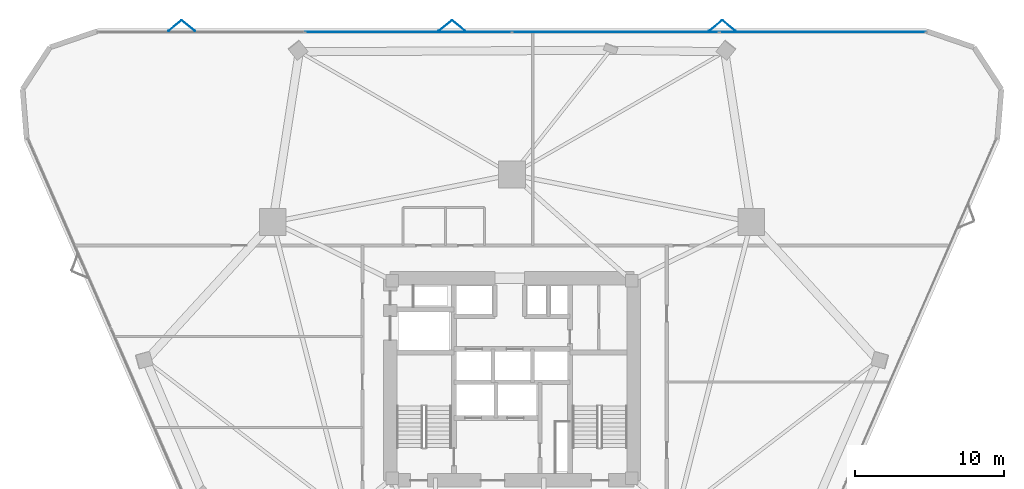
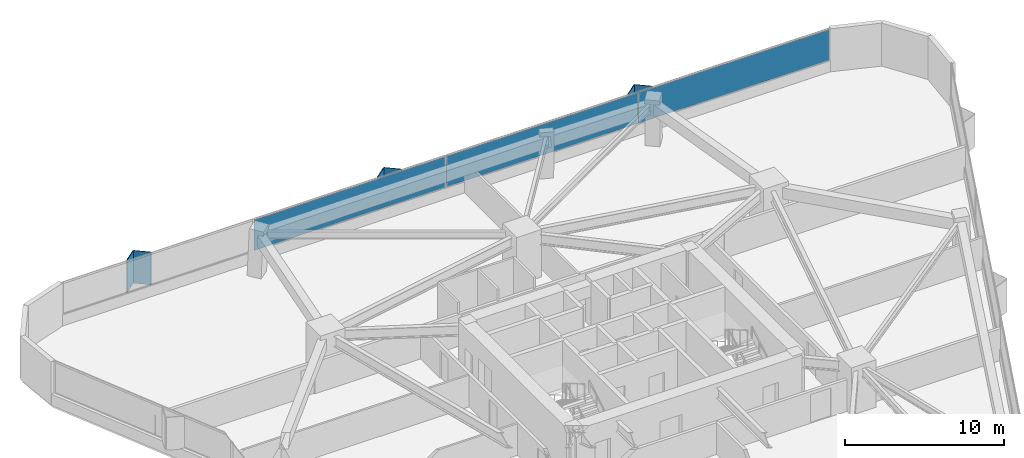
# One storey, part 16 of 20: 9 plates, 1 element without a shape of its own.
"""IFC4 building model written with IfcOpenShell, lengths in metres."""

from ifc_helpers import new_model, si_unit, direction, frame, origin, origin_2d, place, context, subcontext, project, spatial, rectangle, extrude, material, layer, layer_set, type_object, element, aggregate, save


model = new_model("IFC4")

# Units and contexts
model_context = context("Model", 3, precision=1e-05, world=origin(), true_north=direction((0.0, 1.0)))
body_context = subcontext(model_context, "Body", "Model", "MODEL_VIEW")
ifc_project = project(units=[si_unit("LENGTHUNIT", "METRE"), si_unit("AREAUNIT", "SQUARE_METRE"), si_unit("VOLUMEUNIT", "CUBIC_METRE"), si_unit("PLANEANGLEUNIT", "RADIAN"), si_unit("MASSUNIT", "GRAM", prefix="KILO")], contexts=[model_context])

# Site, building, storey
site_placement = place(None, origin())
site = spatial("IfcSite", under=ifc_project, at=site_placement, CompositionType="ELEMENT")
building_placement = place(site_placement, origin())
building = spatial("IfcBuilding", under=site, at=building_placement, Name="Talyreon Biosciences Tower", CompositionType="ELEMENT")
storey_placement = place(building_placement, frame((0.0, 0.0, 62.949951171875)))
storey = spatial("IfcBuildingStorey", under=building, at=storey_placement, Name="L16", CompositionType="ELEMENT", Elevation=62.949951171875)

# Curtain wall, plates
ifc_material_1 = material(Name="Thermally broken aluminium and low-E glazing", Category="aluminium")
ifc_layer_1 = layer(ifc_material_1, 0.195068359375)
ifc_layer_set_1 = layer_set([ifc_layer_1], Name="Thermally broken aluminium and low-E glazing")
curtain_wall_type = type_object("IfcCurtainWallType", Name="CurtainWall_Zone1WetLab", PredefinedType="NOTDEFINED", material=ifc_layer_set_1)
curtain_wall_placement = place(storey_placement, origin())
curtain_wall = element("IfcCurtainWall", 1, at=curtain_wall_placement, inside=storey, type_object=curtain_wall_type, Name="L16 Unitised Curtain Wall FCW-L16-04", PredefinedType="NOTDEFINED")
ifc_material_2 = material(Name="Triple-silver low-E insulated glazing", Category="glass")
ifc_layer_2 = layer(ifc_material_2, 0.031982421875)
ifc_layer_set_2 = layer_set([ifc_layer_2], Name="Triple-silver low-E insulated glazing")
plate_type_1 = type_object("IfcPlateType", Name="CWGlazingPanel_32", PredefinedType="CURTAIN_PANEL", material=ifc_layer_set_2)
plate_1_placement = place(storey_placement, frame((59.021240234375, 91.373779296875, 0.875), z_axis=(0.0, 0.0, 1.0), x_axis=(1.0, 0.0, 0.0)))
plate_1 = element("IfcPlate", 2, at=plate_1_placement, type_object=plate_type_1, Name="CW2 panel 2.1", PredefinedType="CURTAIN_PANEL", context=body_context, shape_type="SweptSolid", body=[
    extrude(rectangle(XDim=13.892578125, YDim=0.031982421875, at=origin_2d()), origin(), (0.0, 0.0, 1.0), 2.360107421875),
])
plate_2_placement = place(storey_placement, frame((72.978759765625, 91.373779296875, 0.875), z_axis=(0.0, 0.0, 1.0), x_axis=(1.0, 0.0, 0.0)))
plate_2 = element("IfcPlate", 3, at=plate_2_placement, type_object=plate_type_1, Name="CW2 panel 3.1", PredefinedType="CURTAIN_PANEL", context=body_context, shape_type="SweptSolid", body=[
    extrude(rectangle(XDim=13.892578125, YDim=0.031982421875, at=origin_2d()), origin(), (0.0, 0.0, 1.0), 2.360107421875),
])
plate_3_placement = place(storey_placement, frame((86.92041015625, 91.373779296875, 0.875), z_axis=(0.0, 0.0, 1.0), x_axis=(1.0, 0.0, 0.0)))
plate_3 = element("IfcPlate", 4, at=plate_3_placement, type_object=plate_type_1, Name="CW2 panel 4.1", PredefinedType="CURTAIN_PANEL", context=body_context, shape_type="SweptSolid", body=[
    extrude(rectangle(XDim=13.860107421875, YDim=0.031982421875, at=origin_2d()), origin(), (0.0, 0.0, 1.0), 2.360107421875),
])
aggregate(curtain_wall, [plate_1, plate_2, plate_3])

# Plates
ifc_material_3 = material(Name="Ivory GFRC sunshade panel", Category="concrete")
ifc_layer_3 = layer(ifc_material_3, 0.044921875)
ifc_layer_set_3 = layer_set([ifc_layer_3], Name="Ivory GFRC sunshade panel")
plate_type_2 = type_object("IfcPlateType", Name="FoldedVSunshade_NorthFace_SUNSHADE", PredefinedType="USERDEFINED", material=ifc_layer_set_3)
for number, where, z_axis, x_axis, name in (
    (5, (43.3046875, 91.81396484375, 0.7900390625), (0.0, 0.0, 1.0), (0.771624583388, 0.636078220278, 0.0), "L16 Folded V-Sunshade Panel 04.01L"),
    (6, (44.20458984375, 91.81396484375, 0.7900390625), (0.0, 0.0, 1.0), (0.771624583388, -0.636078220278, 0.0), "L16 Folded V-Sunshade Panel 04.01R"),
    (7, (61.504638671875, 91.81396484375, 0.7900390625), (0.0, 0.0, 1.0), (0.771624583388, 0.636078220278, 0.0), "L16 Folded V-Sunshade Panel 04.02L"),
    (8, (62.404541015625, 91.81396484375, 0.7900390625), (0.0, 0.0, 1.0), (0.771624583388, -0.636078220278, 0.0), "L16 Folded V-Sunshade Panel 04.02R"),
    (9, (79.70458984375, 91.81396484375, 0.7900390625), (0.0, 0.0, 1.0), (0.771624583388, 0.636078220278, 0.0), "L16 Folded V-Sunshade Panel 04.03L"),
    (10, (80.6044921875, 91.81396484375, 0.7900390625), (0.0, 0.0, 1.0), (0.771624583388, -0.636078220278, 0.0), "L16 Folded V-Sunshade Panel 04.03R"),
):
    element("IfcPlate", number, at=place(storey_placement, frame(where, z_axis=z_axis, x_axis=x_axis)), inside=storey, type_object=plate_type_2, Name=name, ObjectType="SUNSHADE", PredefinedType="USERDEFINED", context=body_context, shape_type="SweptSolid", body=[
        extrude(rectangle(XDim=1.14990234375, YDim=0.044921875, at=origin_2d()), origin(), (0.0, 0.0, 1.0), 2.510009765625),
    ])

save(model, "model.ifc")
